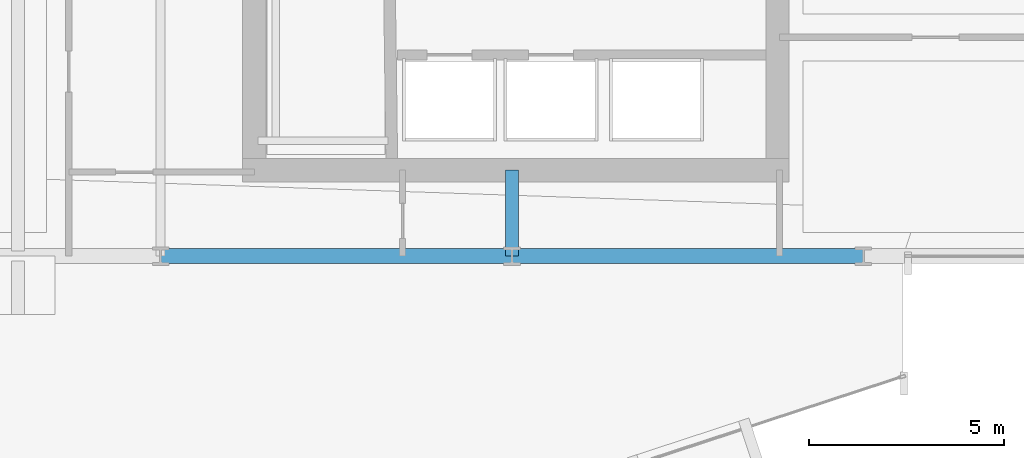
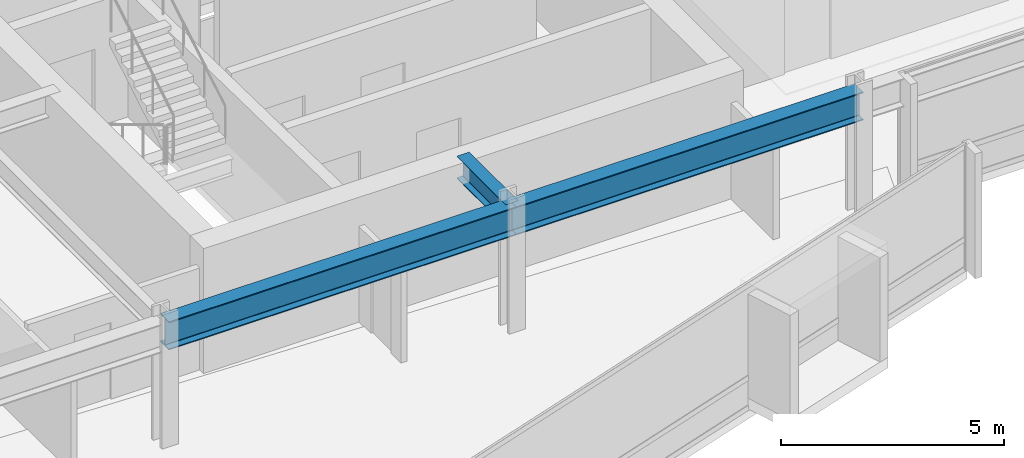
# One storey, part 11 of 34: 3 beams.
"""IFC4 building model written with IfcOpenShell, lengths in metres."""

from ifc_helpers import new_model, si_unit, direction, frame, origin, origin_2d, place, context, subcontext, project, spatial, i_section, extrude, material, material_profile, profile_set, type_object, element, save


model = new_model("IFC4")

# Units and contexts
model_context = context("Model", 3, precision=1e-05, world=origin(), true_north=direction((0.0, 1.0)))
body_context = subcontext(model_context, "Body", "Model", "MODEL_VIEW")
ifc_project = project(units=[si_unit("LENGTHUNIT", "METRE"), si_unit("AREAUNIT", "SQUARE_METRE"), si_unit("VOLUMEUNIT", "CUBIC_METRE"), si_unit("PLANEANGLEUNIT", "RADIAN"), si_unit("MASSUNIT", "GRAM", prefix="KILO")], contexts=[model_context])

# Site, building, storey
site_placement = place(None, origin())
site = spatial("IfcSite", under=ifc_project, at=site_placement, CompositionType="ELEMENT")
building_placement = place(site_placement, origin())
building = spatial("IfcBuilding", under=site, at=building_placement, Name="Solvaryn Broadcast Tower", CompositionType="ELEMENT")
storey_placement = place(building_placement, frame((0.0, 0.0, 69.300048828125)))
storey = spatial("IfcBuildingStorey", under=building, at=storey_placement, Name="L16", CompositionType="ELEMENT", Elevation=69.300048828125)

# Beams
ifc_material_1 = material(Name="Steel ASTM A992 Grade 50", Category="steel")
ifc_material_profile_1 = material_profile(ifc_material_1, i_section(OverallWidth=0.323974609375, OverallDepth=0.611083984375, WebThickness=0.0126953125, FlangeThickness=0.01904296875, FilletRadius=0.014892578125, at=origin_2d()))
ifc_profile_set_1 = profile_set([ifc_material_profile_1], Name="Steel ASTM A992 Grade 50")
beam_type_1 = type_object("IfcBeamType", Name="BM-B1-W24X104", PredefinedType="BEAM", material=ifc_profile_set_1)
beam_placement = place(storey_placement, frame((36.0, 9.0, 3.114501953125), z_axis=(0.0, 1.0, 0.0), x_axis=(-1.0, 0.0, 0.0)))
element("IfcBeam", 1, at=beam_placement, inside=storey, type_object=beam_type_1, Name="L16 Core Tie Beam CTE1", PredefinedType="BEAM", context=body_context, shape_type="SweptSolid", body=[
    extrude(i_section(OverallWidth=0.323974609375, OverallDepth=0.611083984375, WebThickness=0.0126953125, FlangeThickness=0.01904296875, FilletRadius=0.014892578125, at=origin_2d()), origin(), (0.0, 0.0, 1.0), 2.199951171875),
])
ifc_material_2 = material(Name="Steel ASTM A992 Grade 50", Category="steel")
ifc_material_profile_2 = material_profile(ifc_material_2, i_section(OverallWidth=0.381103515625, OverallDepth=0.77294921875, WebThickness=0.0166015625, FlangeThickness=0.027099609375, FilletRadius=0.01806640625, at=origin_2d()))
ifc_profile_set_2 = profile_set([ifc_material_profile_2], Name="Steel ASTM A992 Grade 50")
beam_type_2 = type_object("IfcBeamType", Name="BM-SP1-W30X173", PredefinedType="USERDEFINED", material=ifc_profile_set_2)
for number, where, z_axis, x_axis, name in (
    (2, (27.0, 9.0, 3.033447265625), (1.0, 0.0, 0.0), (0.0, 1.0, 0.0), "L16 Spandrel Beam X (27-36 @ Y=9)"),
    (3, (36.0, 9.0, 3.033447265625), (1.0, 0.0, 0.0), (0.0, 1.0, 0.0), "L16 Spandrel Beam X (36-45 @ Y=9)"),
):
    element("IfcBeam", number, at=place(storey_placement, frame(where, z_axis=z_axis, x_axis=x_axis)), inside=storey, type_object=beam_type_2, Name=name, ObjectType="SPANDREL", PredefinedType="USERDEFINED", context=body_context, shape_type="SweptSolid", body=[
        extrude(i_section(OverallWidth=0.381103515625, OverallDepth=0.77294921875, WebThickness=0.0166015625, FlangeThickness=0.027099609375, FilletRadius=0.01806640625, at=origin_2d()), origin(), (0.0, 0.0, 1.0), 9.0),
    ])

save(model, "model.ifc")
